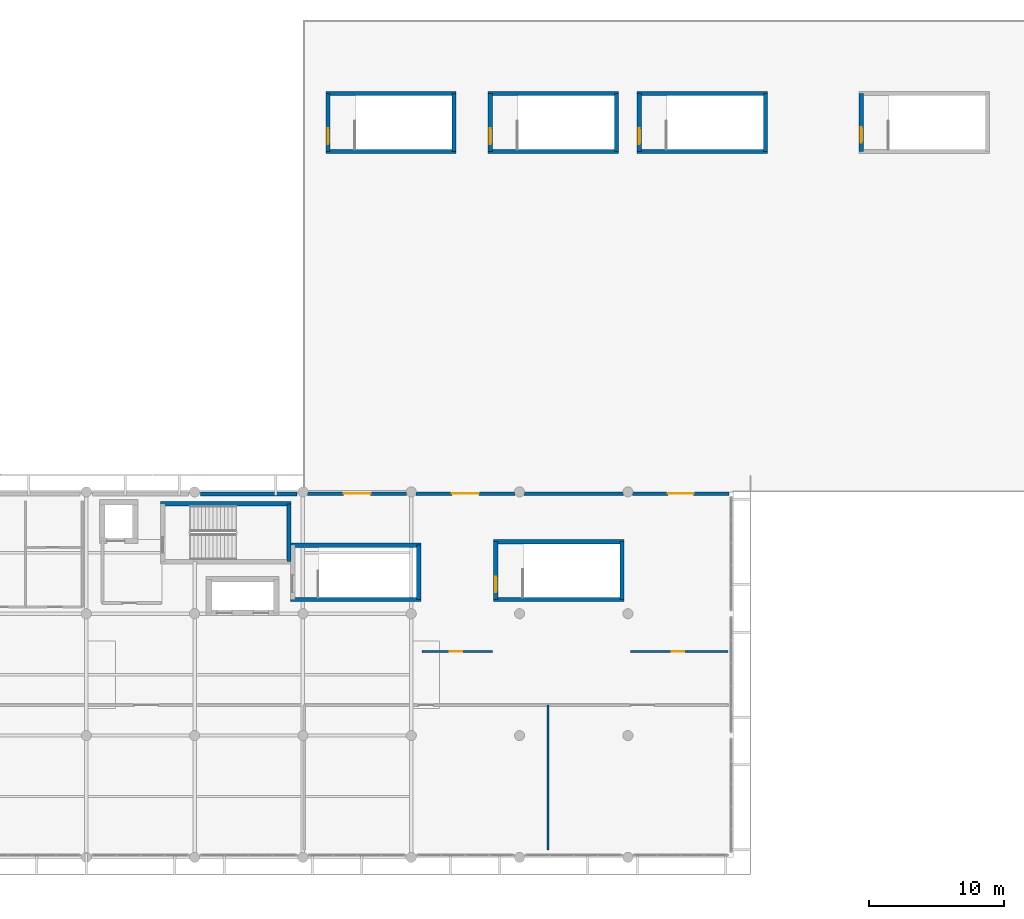
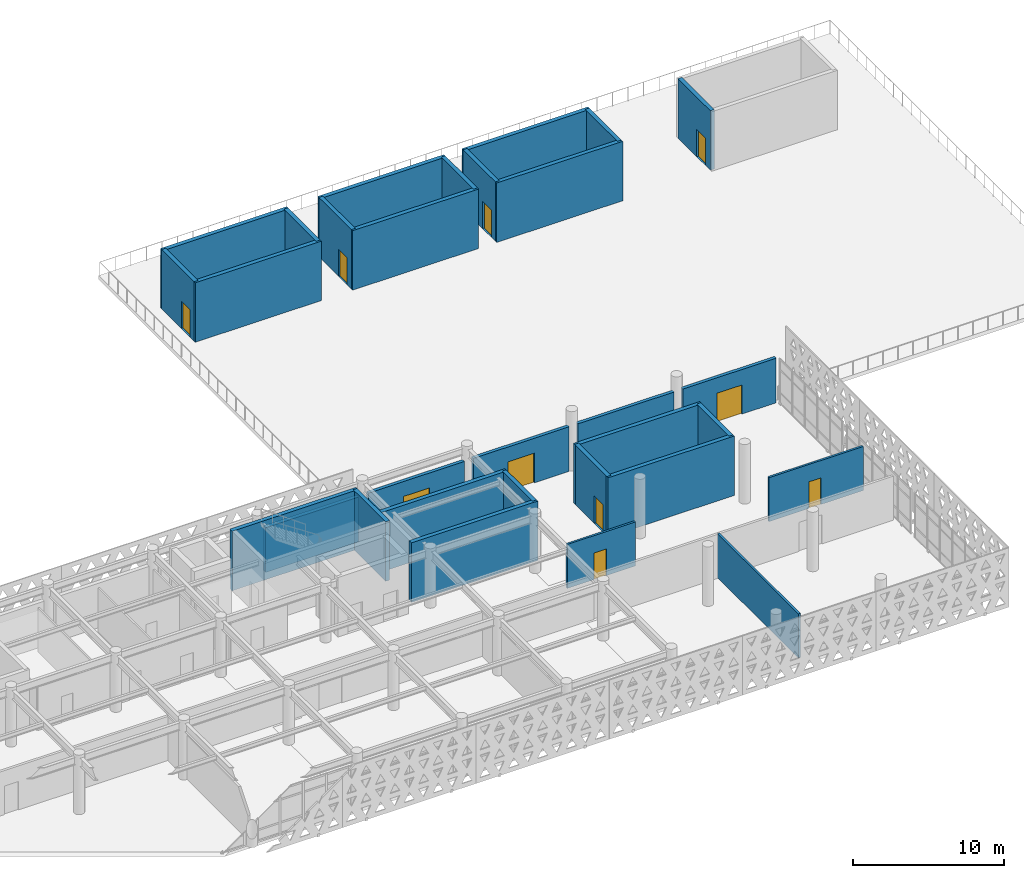
# One storey, part 24 of 33: 30 walls, 10 doors, 10 openings.
"""IFC4 building model written with IfcOpenShell, lengths in metres."""

from ifc_helpers import new_model, si_unit, direction, frame, frame_2d, origin, place, context, subcontext, project, spatial, rectangle, extrude, material, layer, layer_set, type_object, element, fill, save


model = new_model("IFC4")

# Units and contexts
model_context = context("Model", 3, precision=1e-05, world=origin(), true_north=direction((0.0, 1.0)))
body_context = subcontext(model_context, "Body", "Model", "MODEL_VIEW")
ifc_project = project(units=[si_unit("LENGTHUNIT", "METRE"), si_unit("AREAUNIT", "SQUARE_METRE"), si_unit("VOLUMEUNIT", "CUBIC_METRE"), si_unit("PLANEANGLEUNIT", "RADIAN"), si_unit("MASSUNIT", "GRAM", prefix="KILO")], contexts=[model_context])

# Site, building, storey
site_placement = place(None, origin())
site = spatial("IfcSite", under=ifc_project, at=site_placement, CompositionType="ELEMENT")
building_placement = place(site_placement, origin())
building = spatial("IfcBuilding", under=site, at=building_placement, Name="Tlacozan Convention Centre", CompositionType="ELEMENT")
storey_placement = place(building_placement, frame((0.0, 0.0, 16.199951171875)))
storey = spatial("IfcBuildingStorey", under=building, at=storey_placement, Name="L03", CompositionType="ELEMENT", Elevation=16.199951171875)

# Wall, opening, door
ifc_material_1 = material(Name="Volcanic Cantera Stone Masonry", Category="masonry")
ifc_layer_1 = layer(ifc_material_1, 0.25)
ifc_layer_set_1 = layer_set([ifc_layer_1], Name="Volcanic Cantera Stone Masonry")
wall_type_1 = type_object("IfcWallType", Name="Belvedere Terrace Facade Wall 250", PredefinedType="SOLIDWALL", material=ifc_layer_set_1)
wall_1_placement = place(storey_placement, frame((88.340087890625, 26.875, 0.0), z_axis=(0.0, 0.0, 1.0), x_axis=(1.0, 0.0, 0.0)))
wall_1 = element("IfcWall", 1, at=wall_1_placement, inside=storey, type_object=wall_type_1, Name="L03 Belvedere Terrace Facade Wall 250 134", PredefinedType="SOLIDWALL", context=body_context, shape_type="SweptSolid", body=[
    extrude(rectangle(XDim=7.31982421875, YDim=0.25, at=frame_2d((3.659912109375, 0.0))), origin(), (0.0, 0.0, 1.0), 3.60009765625),
])
opening_1_placement = place(wall_1_placement, frame((2.659912109375, 0.0, 0.0)))
opening_1 = element("IfcOpeningElement", 2, at=opening_1_placement, cuts=wall_1, Name="Opening ED-01", PredefinedType="OPENING", context=body_context, shape_type="SweptSolid", body=[
    extrude(rectangle(XDim=2.0, YDim=2.39990234375, at=frame_2d((1.0, 1.199951171875))), frame((0.0, 0.135009765625, 0.0), z_axis=(0.0, -1.0, 0.0), x_axis=(1.0, 0.0, 0.0)), (0.0, 0.0, 1.0), 0.27001953125),
])
ifc_material_2 = material(Name="Thermally Broken Anodised Aluminium Door", Category="aluminium")
door_type_1 = type_object("IfcDoorType", Name="Terrace Garden Double Door 2000x2400", OperationType="DOUBLE_DOOR_SINGLE_SWING", PredefinedType="DOOR", material=ifc_material_2)
door_1_placement = place(opening_1_placement, origin())
door_1 = element("IfcDoor", 3, at=door_1_placement, inside=storey, type_object=door_type_1, Name="Prairie Roof Garden Terrace Door 88", OperationType="DOUBLE_DOOR_SINGLE_SWING", OverallHeight=2.39990234375, OverallWidth=2.0, PredefinedType="DOOR", context=body_context, shape_type="SweptSolid", body=[
    extrude(rectangle(XDim=2.0, YDim=2.39990234375, at=frame_2d((1.0, 1.199951171875))), frame((0.0, 0.02490234375, 0.0), z_axis=(0.0, -1.0, 0.0), x_axis=(1.0, 0.0, 0.0)), (0.0, 0.0, 1.0), 0.050048828125),
])
fill(opening_1, door_1)

wall_2_placement = place(storey_placement, frame((96.340087890625, 26.875, 0.0), z_axis=(0.0, 0.0, 1.0), x_axis=(1.0, 0.0, 0.0)))
wall_2 = element("IfcWall", 4, at=wall_2_placement, inside=storey, type_object=wall_type_1, Name="L03 Belvedere Terrace Facade Wall 250 135", PredefinedType="SOLIDWALL", context=body_context, shape_type="SweptSolid", body=[
    extrude(rectangle(XDim=7.31982421875, YDim=0.25, at=frame_2d((3.659912109375, 0.0))), origin(), (0.0, 0.0, 1.0), 3.60009765625),
])
opening_2_placement = place(wall_2_placement, frame((2.659912109375, 0.0, 0.0)))
opening_2 = element("IfcOpeningElement", 5, at=opening_2_placement, cuts=wall_2, Name="Opening ED-01", PredefinedType="OPENING", context=body_context, shape_type="SweptSolid", body=[
    extrude(rectangle(XDim=2.0, YDim=2.39990234375, at=frame_2d((1.0, 1.199951171875))), frame((0.0, 0.135009765625, 0.0), z_axis=(0.0, -1.0, 0.0), x_axis=(1.0, 0.0, 0.0)), (0.0, 0.0, 1.0), 0.27001953125),
])
door_2_placement = place(opening_2_placement, origin())
door_2 = element("IfcDoor", 6, at=door_2_placement, inside=storey, type_object=door_type_1, Name="Prairie Roof Garden Terrace Door 96", OperationType="DOUBLE_DOOR_SINGLE_SWING", OverallHeight=2.39990234375, OverallWidth=2.0, PredefinedType="DOOR", context=body_context, shape_type="SweptSolid", body=[
    extrude(rectangle(XDim=2.0, YDim=2.39990234375, at=frame_2d((1.0, 1.199951171875))), frame((0.0, 0.02490234375, 0.0), z_axis=(0.0, -1.0, 0.0), x_axis=(1.0, 0.0, 0.0)), (0.0, 0.0, 1.0), 0.050048828125),
])
fill(opening_2, door_2)

# Wall
wall_3_placement = place(storey_placement, frame((104.340087890625, 26.875, 0.0), z_axis=(0.0, 0.0, 1.0), x_axis=(1.0, 0.0, 0.0)))
element("IfcWall", 7, at=wall_3_placement, inside=storey, type_object=wall_type_1, Name="L03 Belvedere Terrace Facade Wall 250 136", PredefinedType="SOLIDWALL", context=body_context, shape_type="SweptSolid", body=[
    extrude(rectangle(XDim=7.31982421875, YDim=0.25, at=frame_2d((3.659912109375, 0.0))), origin(), (0.0, 0.0, 1.0), 3.60009765625),
])

# Wall, opening, door
wall_4_placement = place(storey_placement, frame((112.340087890625, 26.875, 0.0), z_axis=(0.0, 0.0, 1.0), x_axis=(1.0, 0.0, 0.0)))
wall_4 = element("IfcWall", 8, at=wall_4_placement, inside=storey, type_object=wall_type_1, Name="L03 Belvedere Terrace Facade Wall 250 137", PredefinedType="SOLIDWALL", context=body_context, shape_type="SweptSolid", body=[
    extrude(rectangle(XDim=7.119873046875, YDim=0.25, at=frame_2d((3.56005859375, 0.0))), origin(), (0.0, 0.0, 1.0), 3.60009765625),
])
opening_3_placement = place(wall_4_placement, frame((2.610107421875, 0.0, 0.0)))
opening_3 = element("IfcOpeningElement", 9, at=opening_3_placement, cuts=wall_4, Name="Opening ED-04", PredefinedType="OPENING", context=body_context, shape_type="SweptSolid", body=[
    extrude(rectangle(XDim=1.89990234375, YDim=2.35009765625, at=frame_2d((0.949951171875, 1.175048828125))), frame((0.0, 0.135009765625, 0.0), z_axis=(0.0, -1.0, 0.0), x_axis=(1.0, 0.0, 0.0)), (0.0, 0.0, 1.0), 0.27001953125),
])
door_type_2 = type_object("IfcDoorType", Name="Terrace Lounge Double Door 1900x2350", OperationType="DOUBLE_DOOR_SINGLE_SWING", PredefinedType="DOOR", material=ifc_material_2)
door_3_placement = place(opening_3_placement, origin())
door_3 = element("IfcDoor", 10, at=door_3_placement, inside=storey, type_object=door_type_2, Name="Prairie Roof Garden Terrace Door 112", OperationType="DOUBLE_DOOR_SINGLE_SWING", OverallHeight=2.35009765625, OverallWidth=1.89990234375, PredefinedType="DOOR", context=body_context, shape_type="SweptSolid", body=[
    extrude(rectangle(XDim=1.89990234375, YDim=2.35009765625, at=frame_2d((0.949951171875, 1.175048828125))), frame((0.0, 0.02490234375, 0.0), z_axis=(0.0, -1.0, 0.0), x_axis=(1.0, 0.0, 0.0)), (0.0, 0.0, 1.0), 0.050048828125),
])
fill(opening_3, door_3)

# Walls
ifc_layer_2 = layer(ifc_material_1, 0.300048828125)
ifc_layer_set_2 = layer_set([ifc_layer_2], Name="Volcanic Cantera Stone Masonry")
wall_type_2 = type_object("IfcWallType", Name="Congress Spandrel Backup Wall 300", PredefinedType="SOLIDWALL", material=ifc_layer_set_2)
wall_5_placement = place(storey_placement, frame((80.449951171875, 26.840087890625, 0.0), z_axis=(0.0, 0.0, 1.0), x_axis=(1.0, 0.0, 0.0)))
element("IfcWall", 11, at=wall_5_placement, inside=storey, type_object=wall_type_2, Name="L03 Congress Spandrel Backup Wall 300 133", PredefinedType="SOLIDWALL", context=body_context, shape_type="SweptSolid", body=[
    extrude(rectangle(XDim=7.10009765625, YDim=0.300048828125, at=frame_2d((3.550048828125, 0.0))), origin(), (0.0, 0.0, 1.0), 3.60009765625),
])
ifc_material_3 = material(Name="Acoustic Double-Stud Partition Assembly")
ifc_layer_3 = layer(ifc_material_3, 0.159912109375)
ifc_layer_set_3 = layer_set([ifc_layer_3], Name="Acoustic Double-Stud Partition Assembly")
wall_type_3 = type_object("IfcWallType", Name="Meeting Acoustic Partition 160", PredefinedType="PARTITIONING", material=ifc_layer_set_3)
wall_6_placement = place(storey_placement, frame((106.10009765625, 0.550048828125, 0.0), z_axis=(0.0, 0.0, 1.0), x_axis=(0.0, 1.0, 0.0)))
element("IfcWall", 12, at=wall_6_placement, inside=storey, type_object=wall_type_3, Name="L03 Meeting Acoustic Partition 160 606", PredefinedType="PARTITIONING", context=body_context, shape_type="SweptSolid", body=[
    extrude(rectangle(XDim=10.699951171875, YDim=0.159912109375, at=frame_2d((5.35009765625, 0.0))), origin(), (0.0, 0.0, 1.0), 3.550048828125),
])

# Wall, opening, door
wall_7_placement = place(storey_placement, frame((96.800048828125, 15.199951171875, 0.0), z_axis=(0.0, 0.0, 1.0), x_axis=(1.0, 0.0, 0.0)))
wall_7 = element("IfcWall", 13, at=wall_7_placement, inside=storey, type_object=wall_type_3, Name="L03 Meeting Acoustic Partition 160 608", PredefinedType="PARTITIONING", context=body_context, shape_type="SweptSolid", body=[
    extrude(rectangle(XDim=5.199951171875, YDim=0.159912109375, at=frame_2d((2.60009765625, 0.0))), origin(), (0.0, 0.0, 1.0), 3.550048828125),
])
opening_4_placement = place(wall_7_placement, frame((2.050048828125, 0.0, 0.0)))
opening_4 = element("IfcOpeningElement", 14, at=opening_4_placement, cuts=wall_7, Name="Opening ID-14", PredefinedType="OPENING", context=body_context, shape_type="SweptSolid", body=[
    extrude(rectangle(XDim=0.919921875, YDim=2.14990234375, at=frame_2d((0.4599609375, 1.074951171875))), frame((0.0, 0.08984375, 0.0), z_axis=(0.0, -1.0, 0.0), x_axis=(1.0, 0.0, 0.0)), (0.0, 0.0, 1.0), 0.179931640625),
])
ifc_material_4 = material(Name="Acoustic Solid-Core Oak Veneer Door")
door_type_3 = type_object("IfcDoorType", Name="Interpretation Booth Door 920x2150", OperationType="NOTDEFINED", PredefinedType="DOOR", material=ifc_material_4)
door_4_placement = place(opening_4_placement, origin())
door_4 = element("IfcDoor", 15, at=door_4_placement, inside=storey, type_object=door_type_3, Name="L03 Interpretation Booth Door 920x2150 202", OperationType="SINGLE_SWING_LEFT", OverallHeight=2.14990234375, OverallWidth=0.919921875, PredefinedType="DOOR", context=body_context, shape_type="SweptSolid", body=[
    extrude(rectangle(XDim=0.919921875, YDim=2.14990234375, at=frame_2d((0.4599609375, 1.074951171875))), frame((0.0, 0.02490234375, 0.0), z_axis=(0.0, -1.0, 0.0), x_axis=(1.0, 0.0, 0.0)), (0.0, 0.0, 1.0), 0.050048828125),
])
fill(opening_4, door_4)

wall_8_placement = place(storey_placement, frame((112.199951171875, 15.199951171875, 0.0), z_axis=(0.0, 0.0, 1.0), x_axis=(1.0, 0.0, 0.0)))
wall_8 = element("IfcWall", 16, at=wall_8_placement, inside=storey, type_object=wall_type_3, Name="L03 Meeting Acoustic Partition 160 609", PredefinedType="PARTITIONING", context=body_context, shape_type="SweptSolid", body=[
    extrude(rectangle(XDim=7.199951171875, YDim=0.159912109375, at=frame_2d((3.60009765625, 0.0))), origin(), (0.0, 0.0, 1.0), 3.550048828125),
])
opening_5_placement = place(wall_8_placement, frame((3.050048828125, 0.0, 0.0)))
opening_5 = element("IfcOpeningElement", 17, at=opening_5_placement, cuts=wall_8, Name="Opening ID-03", PredefinedType="OPENING", context=body_context, shape_type="SweptSolid", body=[
    extrude(rectangle(XDim=0.89990234375, YDim=2.14990234375, at=frame_2d((0.449951171875, 1.074951171875))), frame((0.0, 0.08984375, 0.0), z_axis=(0.0, -1.0, 0.0), x_axis=(1.0, 0.0, 0.0)), (0.0, 0.0, 1.0), 0.179931640625),
])
door_type_4 = type_object("IfcDoorType", Name="Office Single Door 900x2150", OperationType="NOTDEFINED", PredefinedType="DOOR", material=ifc_material_4)
door_5_placement = place(opening_5_placement, origin())
door_5 = element("IfcDoor", 18, at=door_5_placement, inside=storey, type_object=door_type_4, Name="L03 Office Single Door 900x2150 203", OperationType="SINGLE_SWING_RIGHT", OverallHeight=2.14990234375, OverallWidth=0.89990234375, PredefinedType="DOOR", context=body_context, shape_type="SweptSolid", body=[
    extrude(rectangle(XDim=0.89990234375, YDim=2.14990234375, at=frame_2d((0.449951171875, 1.074951171875))), frame((0.0, 0.02490234375, 0.0), z_axis=(0.0, -1.0, 0.0), x_axis=(1.0, 0.0, 0.0)), (0.0, 0.0, 1.0), 0.050048828125),
])
fill(opening_5, door_5)

# Walls
ifc_material_5 = material(Name="Concrete C40/50", Category="concrete")
ifc_layer_4 = layer(ifc_material_5, 0.31005859375)
ifc_layer_set_4 = layer_set([ifc_layer_4], Name="Concrete C40/50")
wall_type_4 = type_object("IfcWallType", Name="Stair Shaft Shear Wall RC 310", PredefinedType="SHEAR", material=ifc_layer_set_4)
wall_9_placement = place(storey_placement, frame((77.485107421875, 26.1201171875, 0.0), z_axis=(0.0, 0.0, 1.0), x_axis=(1.0, 0.0, 0.0)))
element("IfcWall", 19, at=wall_9_placement, inside=storey, type_object=wall_type_4, Name="L03 Stair Shaft Shear Wall RC 310 142", PredefinedType="SHEAR", context=body_context, shape_type="SweptSolid", body=[
    extrude(rectangle(XDim=9.6298828125, YDim=0.31005859375, at=frame_2d((4.81494140625, 0.0))), origin(), (0.0, 0.0, 1.0), 4.800048828125),
])
wall_10_placement = place(storey_placement, frame((86.9599609375, 21.840087890625, 0.0), z_axis=(0.0, 0.0, 1.0), x_axis=(0.0, 1.0, 0.0)))
element("IfcWall", 20, at=wall_10_placement, inside=storey, type_object=wall_type_4, Name="L03 Stair Shaft Shear Wall RC 310 144", PredefinedType="SHEAR", context=body_context, shape_type="SweptSolid", body=[
    extrude(rectangle(XDim=4.280029296875, YDim=0.31005859375, at=frame_2d((2.14013671875, 0.0))), origin(), (0.0, 0.0, 1.0), 4.800048828125),
])

# Wall, opening, door
wall_11_placement = place(storey_placement, frame((129.239990234375, 52.139892578125, 0.0), z_axis=(0.0, 0.0, 1.0), x_axis=(0.0, 1.0, 0.0)))
wall_11 = element("IfcWall", 21, at=wall_11_placement, inside=storey, type_object=wall_type_4, Name="L03 Stair Shaft Shear Wall RC 310 263", PredefinedType="SHEAR", context=body_context, shape_type="SweptSolid", body=[
    extrude(rectangle(XDim=4.280029296875, YDim=0.31005859375, at=frame_2d((2.14013671875, 0.0))), origin(), (0.0, 0.0, 1.0), 4.800048828125),
])
opening_6_placement = place(wall_11_placement, frame((0.64990234375, 0.0, 0.0)))
opening_6 = element("IfcOpeningElement", 22, at=opening_6_placement, cuts=wall_11, Name="Opening FD-02", PredefinedType="OPENING", context=body_context, shape_type="SweptSolid", body=[
    extrude(rectangle(XDim=1.14990234375, YDim=2.199951171875, at=frame_2d((0.574951171875, 1.10009765625))), frame((0.0, 0.1650390625, 0.0), z_axis=(0.0, -1.0, 0.0), x_axis=(1.0, 0.0, 0.0)), (0.0, 0.0, 1.0), 0.330078125),
])
ifc_material_6 = material(Name="Fire-Rated Insulated Steel Door Leaf", Category="steel")
door_type_5 = type_object("IfcDoorType", Name="Fire Door Stair 1150x2200 FD90", OperationType="NOTDEFINED", PredefinedType="DOOR", material=ifc_material_6)
door_6_placement = place(opening_6_placement, origin())
door_6 = element("IfcDoor", 23, at=door_6_placement, inside=storey, type_object=door_type_5, Name="L03 Terrace Stair ST-03 Door", OperationType="SINGLE_SWING_RIGHT", OverallHeight=2.199951171875, OverallWidth=1.14990234375, PredefinedType="DOOR", context=body_context, shape_type="SweptSolid", body=[
    extrude(rectangle(XDim=1.14990234375, YDim=2.199951171875, at=frame_2d((0.574951171875, 1.10009765625))), frame((0.0, 0.02490234375, 0.0), z_axis=(0.0, -1.0, 0.0), x_axis=(1.0, 0.0, 0.0)), (0.0, 0.0, 1.0), 0.050048828125),
])
fill(opening_6, door_6)

# Walls
for number, where, z_axis, x_axis, name in (
    (24, (102.0849609375, 19.0400390625, 0.0), (0.0, 0.0, 1.0), (1.0, 0.0, 0.0), "L03 Stair Shaft Shear Wall RC 310 281"),
    (25, (102.0849609375, 23.320068359375, 0.0), (0.0, 0.0, 1.0), (1.0, 0.0, 0.0), "L03 Stair Shaft Shear Wall RC 310 282"),
):
    element("IfcWall", number, at=place(storey_placement, frame(where, z_axis=z_axis, x_axis=x_axis)), inside=storey, type_object=wall_type_4, Name=name, PredefinedType="SHEAR", context=body_context, shape_type="SweptSolid", body=[
        extrude(rectangle(XDim=9.630126953125, YDim=0.31005859375, at=frame_2d((4.81494140625, 0.0))), origin(), (0.0, 0.0, 1.0), 4.800048828125),
    ])

# Wall, opening, door
wall_12_placement = place(storey_placement, frame((102.239990234375, 19.0400390625, 0.0), z_axis=(0.0, 0.0, 1.0), x_axis=(0.0, 1.0, 0.0)))
wall_12 = element("IfcWall", 26, at=wall_12_placement, inside=storey, type_object=wall_type_4, Name="L03 Stair Shaft Shear Wall RC 310 283", PredefinedType="SHEAR", context=body_context, shape_type="SweptSolid", body=[
    extrude(rectangle(XDim=4.280029296875, YDim=0.31005859375, at=frame_2d((2.14013671875, 0.0))), origin(), (0.0, 0.0, 1.0), 4.800048828125),
])
opening_7_placement = place(wall_12_placement, frame((0.550048828125, 0.0, 0.0)))
opening_7 = element("IfcOpeningElement", 27, at=opening_7_placement, cuts=wall_12, Name="Opening FD-02", PredefinedType="OPENING", context=body_context, shape_type="SweptSolid", body=[
    extrude(rectangle(XDim=1.14990234375, YDim=2.199951171875, at=frame_2d((0.574951171875, 1.10009765625))), frame((0.0, 0.1650390625, 0.0), z_axis=(0.0, -1.0, 0.0), x_axis=(1.0, 0.0, 0.0)), (0.0, 0.0, 1.0), 0.330078125),
])
door_7_placement = place(opening_7_placement, origin())
door_7 = element("IfcDoor", 28, at=door_7_placement, inside=storey, type_object=door_type_5, Name="L03 Stair ST-05 Access Door", OperationType="SINGLE_SWING_LEFT", OverallHeight=2.199951171875, OverallWidth=1.14990234375, PredefinedType="DOOR", context=body_context, shape_type="SweptSolid", body=[
    extrude(rectangle(XDim=1.14990234375, YDim=2.199951171875, at=frame_2d((0.574951171875, 1.10009765625))), frame((0.0, 0.02490234375, 0.0), z_axis=(0.0, -1.0, 0.0), x_axis=(1.0, 0.0, 0.0)), (0.0, 0.0, 1.0), 0.050048828125),
])
fill(opening_7, door_7)

# Walls
wall_13_placement = place(storey_placement, frame((111.56005859375, 19.0400390625, 0.0), z_axis=(0.0, 0.0, 1.0), x_axis=(0.0, 1.0, 0.0)))
element("IfcWall", 29, at=wall_13_placement, inside=storey, type_object=wall_type_4, Name="L03 Stair Shaft Shear Wall RC 310 284", PredefinedType="SHEAR", context=body_context, shape_type="SweptSolid", body=[
    extrude(rectangle(XDim=4.280029296875, YDim=0.31005859375, at=frame_2d((2.14013671875, 0.0))), origin(), (0.0, 0.0, 1.0), 4.800048828125),
])
for number, where, z_axis, x_axis, name in (
    (30, (87.0849609375, 19.0400390625, 0.0), (0.0, 0.0, 1.0), (1.0, 0.0, 0.0), "L03 Stair Shaft Shear Wall RC 310 349"),
    (31, (87.0849609375, 23.06005859375, 0.0), (0.0, 0.0, 1.0), (1.0, 0.0, 0.0), "L03 Stair Shaft Shear Wall RC 310 350"),
):
    element("IfcWall", number, at=place(storey_placement, frame(where, z_axis=z_axis, x_axis=x_axis)), inside=storey, type_object=wall_type_4, Name=name, PredefinedType="SHEAR", context=body_context, shape_type="SweptSolid", body=[
        extrude(rectangle(XDim=9.630126953125, YDim=0.31005859375, at=frame_2d((4.81494140625, 0.0))), origin(), (0.0, 0.0, 1.0), 4.800048828125),
    ])
wall_14_placement = place(storey_placement, frame((96.56005859375, 19.0400390625, 0.0), z_axis=(0.0, 0.0, 1.0), x_axis=(0.0, 1.0, 0.0)))
element("IfcWall", 32, at=wall_14_placement, inside=storey, type_object=wall_type_4, Name="L03 Stair Shaft Shear Wall RC 310 352", PredefinedType="SHEAR", context=body_context, shape_type="SweptSolid", body=[
    extrude(rectangle(XDim=4.02001953125, YDim=0.31005859375, at=frame_2d((2.010009765625, 0.0))), origin(), (0.0, 0.0, 1.0), 4.800048828125),
])
for number, where, z_axis, x_axis, name in (
    (33, (89.68505859375, 52.139892578125, 0.0), (0.0, 0.0, 1.0), (1.0, 0.0, 0.0), "L03 Stair Shaft Shear Wall RC 310 393"),
    (34, (89.68505859375, 56.419921875, 0.0), (0.0, 0.0, 1.0), (1.0, 0.0, 0.0), "L03 Stair Shaft Shear Wall RC 310 394"),
):
    element("IfcWall", number, at=place(storey_placement, frame(where, z_axis=z_axis, x_axis=x_axis)), inside=storey, type_object=wall_type_4, Name=name, PredefinedType="SHEAR", context=body_context, shape_type="SweptSolid", body=[
        extrude(rectangle(XDim=9.6298828125, YDim=0.31005859375, at=frame_2d((4.81494140625, 0.0))), origin(), (0.0, 0.0, 1.0), 4.800048828125),
    ])

# Wall, opening, door
wall_15_placement = place(storey_placement, frame((89.840087890625, 52.139892578125, 0.0), z_axis=(0.0, 0.0, 1.0), x_axis=(0.0, 1.0, 0.0)))
wall_15 = element("IfcWall", 35, at=wall_15_placement, inside=storey, type_object=wall_type_4, Name="L03 Stair Shaft Shear Wall RC 310 395", PredefinedType="SHEAR", context=body_context, shape_type="SweptSolid", body=[
    extrude(rectangle(XDim=4.280029296875, YDim=0.31005859375, at=frame_2d((2.14013671875, 0.0))), origin(), (0.0, 0.0, 1.0), 4.800048828125),
])
opening_8_placement = place(wall_15_placement, frame((0.550048828125, 0.0, 0.0)))
opening_8 = element("IfcOpeningElement", 36, at=opening_8_placement, cuts=wall_15, Name="Opening FD-02", PredefinedType="OPENING", context=body_context, shape_type="SweptSolid", body=[
    extrude(rectangle(XDim=1.14990234375, YDim=2.199951171875, at=frame_2d((0.574951171875, 1.10009765625))), frame((0.0, 0.1650390625, 0.0), z_axis=(0.0, -1.0, 0.0), x_axis=(1.0, 0.0, 0.0)), (0.0, 0.0, 1.0), 0.330078125),
])
door_8_placement = place(opening_8_placement, origin())
door_8 = element("IfcDoor", 37, at=door_8_placement, inside=storey, type_object=door_type_5, Name="L03 Stair ST-06 Access Door", OperationType="SINGLE_SWING_LEFT", OverallHeight=2.199951171875, OverallWidth=1.14990234375, PredefinedType="DOOR", context=body_context, shape_type="SweptSolid", body=[
    extrude(rectangle(XDim=1.14990234375, YDim=2.199951171875, at=frame_2d((0.574951171875, 1.10009765625))), frame((0.0, 0.02490234375, 0.0), z_axis=(0.0, -1.0, 0.0), x_axis=(1.0, 0.0, 0.0)), (0.0, 0.0, 1.0), 0.050048828125),
])
fill(opening_8, door_8)

# Walls
wall_16_placement = place(storey_placement, frame((99.159912109375, 52.139892578125, 0.0), z_axis=(0.0, 0.0, 1.0), x_axis=(0.0, 1.0, 0.0)))
element("IfcWall", 38, at=wall_16_placement, inside=storey, type_object=wall_type_4, Name="L03 Stair Shaft Shear Wall RC 310 396", PredefinedType="SHEAR", context=body_context, shape_type="SweptSolid", body=[
    extrude(rectangle(XDim=4.280029296875, YDim=0.31005859375, at=frame_2d((2.14013671875, 0.0))), origin(), (0.0, 0.0, 1.0), 4.800048828125),
])
for number, where, z_axis, x_axis, name in (
    (39, (101.68505859375, 52.139892578125, 0.0), (0.0, 0.0, 1.0), (1.0, 0.0, 0.0), "L03 Stair Shaft Shear Wall RC 310 413"),
    (40, (101.68505859375, 56.419921875, 0.0), (0.0, 0.0, 1.0), (1.0, 0.0, 0.0), "L03 Stair Shaft Shear Wall RC 310 414"),
):
    element("IfcWall", number, at=place(storey_placement, frame(where, z_axis=z_axis, x_axis=x_axis)), inside=storey, type_object=wall_type_4, Name=name, PredefinedType="SHEAR", context=body_context, shape_type="SweptSolid", body=[
        extrude(rectangle(XDim=9.6298828125, YDim=0.31005859375, at=frame_2d((4.81494140625, 0.0))), origin(), (0.0, 0.0, 1.0), 4.800048828125),
    ])

# Wall, opening, door
wall_17_placement = place(storey_placement, frame((101.840087890625, 52.139892578125, 0.0), z_axis=(0.0, 0.0, 1.0), x_axis=(0.0, 1.0, 0.0)))
wall_17 = element("IfcWall", 41, at=wall_17_placement, inside=storey, type_object=wall_type_4, Name="L03 Stair Shaft Shear Wall RC 310 415", PredefinedType="SHEAR", context=body_context, shape_type="SweptSolid", body=[
    extrude(rectangle(XDim=4.280029296875, YDim=0.31005859375, at=frame_2d((2.14013671875, 0.0))), origin(), (0.0, 0.0, 1.0), 4.800048828125),
])
opening_9_placement = place(wall_17_placement, frame((0.550048828125, 0.0, 0.0)))
opening_9 = element("IfcOpeningElement", 42, at=opening_9_placement, cuts=wall_17, Name="Opening FD-02", PredefinedType="OPENING", context=body_context, shape_type="SweptSolid", body=[
    extrude(rectangle(XDim=1.14990234375, YDim=2.199951171875, at=frame_2d((0.574951171875, 1.10009765625))), frame((0.0, 0.1650390625, 0.0), z_axis=(0.0, -1.0, 0.0), x_axis=(1.0, 0.0, 0.0)), (0.0, 0.0, 1.0), 0.330078125),
])
door_9_placement = place(opening_9_placement, origin())
door_9 = element("IfcDoor", 43, at=door_9_placement, inside=storey, type_object=door_type_5, Name="L03 Stair ST-17 Access Door", OperationType="SINGLE_SWING_RIGHT", OverallHeight=2.199951171875, OverallWidth=1.14990234375, PredefinedType="DOOR", context=body_context, shape_type="SweptSolid", body=[
    extrude(rectangle(XDim=1.14990234375, YDim=2.199951171875, at=frame_2d((0.574951171875, 1.10009765625))), frame((0.0, 0.02490234375, 0.0), z_axis=(0.0, -1.0, 0.0), x_axis=(1.0, 0.0, 0.0)), (0.0, 0.0, 1.0), 0.050048828125),
])
fill(opening_9, door_9)

# Walls
wall_18_placement = place(storey_placement, frame((111.159912109375, 52.139892578125, 0.0), z_axis=(0.0, 0.0, 1.0), x_axis=(0.0, 1.0, 0.0)))
element("IfcWall", 44, at=wall_18_placement, inside=storey, type_object=wall_type_4, Name="L03 Stair Shaft Shear Wall RC 310 416", PredefinedType="SHEAR", context=body_context, shape_type="SweptSolid", body=[
    extrude(rectangle(XDim=4.280029296875, YDim=0.31005859375, at=frame_2d((2.14013671875, 0.0))), origin(), (0.0, 0.0, 1.0), 4.800048828125),
])
for number, where, z_axis, x_axis, name in (
    (45, (112.68505859375, 52.139892578125, 0.0), (0.0, 0.0, 1.0), (1.0, 0.0, 0.0), "L03 Stair Shaft Shear Wall RC 310 433"),
    (46, (112.68505859375, 56.419921875, 0.0), (0.0, 0.0, 1.0), (1.0, 0.0, 0.0), "L03 Stair Shaft Shear Wall RC 310 434"),
):
    element("IfcWall", number, at=place(storey_placement, frame(where, z_axis=z_axis, x_axis=x_axis)), inside=storey, type_object=wall_type_4, Name=name, PredefinedType="SHEAR", context=body_context, shape_type="SweptSolid", body=[
        extrude(rectangle(XDim=9.6298828125, YDim=0.31005859375, at=frame_2d((4.81494140625, 0.0))), origin(), (0.0, 0.0, 1.0), 4.800048828125),
    ])

# Wall, opening, door
wall_19_placement = place(storey_placement, frame((112.840087890625, 52.139892578125, 0.0), z_axis=(0.0, 0.0, 1.0), x_axis=(0.0, 1.0, 0.0)))
wall_19 = element("IfcWall", 47, at=wall_19_placement, inside=storey, type_object=wall_type_4, Name="L03 Stair Shaft Shear Wall RC 310 435", PredefinedType="SHEAR", context=body_context, shape_type="SweptSolid", body=[
    extrude(rectangle(XDim=4.280029296875, YDim=0.31005859375, at=frame_2d((2.14013671875, 0.0))), origin(), (0.0, 0.0, 1.0), 4.800048828125),
])
opening_10_placement = place(wall_19_placement, frame((0.550048828125, 0.0, 0.0)))
opening_10 = element("IfcOpeningElement", 48, at=opening_10_placement, cuts=wall_19, Name="Opening FD-02", PredefinedType="OPENING", context=body_context, shape_type="SweptSolid", body=[
    extrude(rectangle(XDim=1.14990234375, YDim=2.199951171875, at=frame_2d((0.574951171875, 1.10009765625))), frame((0.0, 0.1650390625, 0.0), z_axis=(0.0, -1.0, 0.0), x_axis=(1.0, 0.0, 0.0)), (0.0, 0.0, 1.0), 0.330078125),
])
door_10_placement = place(opening_10_placement, origin())
door_10 = element("IfcDoor", 49, at=door_10_placement, inside=storey, type_object=door_type_5, Name="L03 Stair ST-18 Access Door", OperationType="SINGLE_SWING_LEFT", OverallHeight=2.199951171875, OverallWidth=1.14990234375, PredefinedType="DOOR", context=body_context, shape_type="SweptSolid", body=[
    extrude(rectangle(XDim=1.14990234375, YDim=2.199951171875, at=frame_2d((0.574951171875, 1.10009765625))), frame((0.0, 0.02490234375, 0.0), z_axis=(0.0, -1.0, 0.0), x_axis=(1.0, 0.0, 0.0)), (0.0, 0.0, 1.0), 0.050048828125),
])
fill(opening_10, door_10)

# Wall
wall_20_placement = place(storey_placement, frame((122.159912109375, 52.139892578125, 0.0), z_axis=(0.0, 0.0, 1.0), x_axis=(0.0, 1.0, 0.0)))
element("IfcWall", 50, at=wall_20_placement, inside=storey, type_object=wall_type_4, Name="L03 Stair Shaft Shear Wall RC 310 436", PredefinedType="SHEAR", context=body_context, shape_type="SweptSolid", body=[
    extrude(rectangle(XDim=4.280029296875, YDim=0.31005859375, at=frame_2d((2.14013671875, 0.0))), origin(), (0.0, 0.0, 1.0), 4.800048828125),
])

save(model, "model.ifc")
